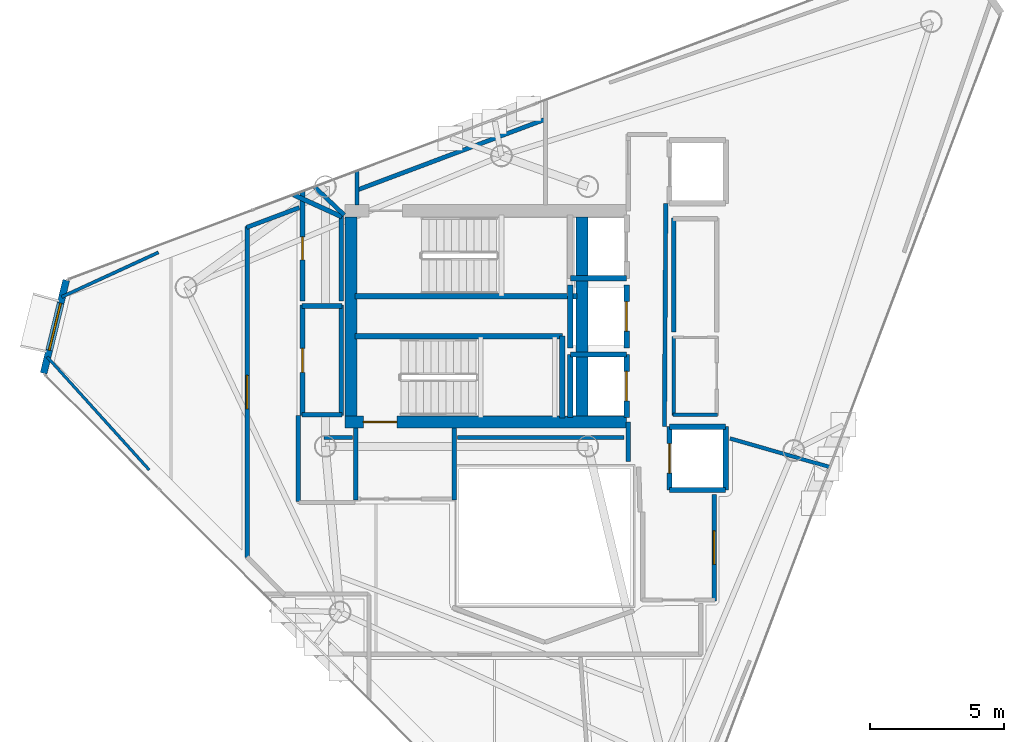
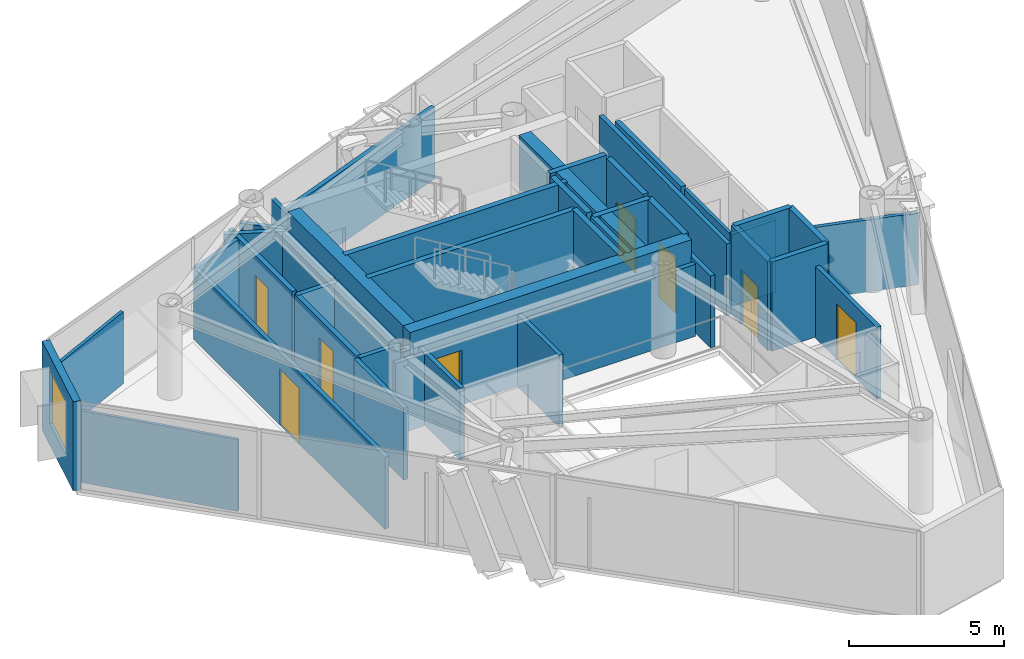
# One storey, part 16 of 19: 43 walls, 8 doors, 1 window, 9 openings.
"""IFC4 building model written with IfcOpenShell, lengths in metres."""

from ifc_helpers import new_model, si_unit, direction, frame, frame_2d, origin, place, context, subcontext, project, spatial, rectangle, extrude, material, layer, layer_set, type_object, element, fill, save


model = new_model("IFC4")

# Units and contexts
model_context = context("Model", 3, precision=1e-05, world=origin(), true_north=direction((0.0, 1.0)))
body_context = subcontext(model_context, "Body", "Model", "MODEL_VIEW")
ifc_project = project(units=[si_unit("LENGTHUNIT", "METRE"), si_unit("AREAUNIT", "SQUARE_METRE"), si_unit("VOLUMEUNIT", "CUBIC_METRE"), si_unit("PLANEANGLEUNIT", "RADIAN"), si_unit("MASSUNIT", "GRAM", prefix="KILO")], contexts=[model_context])

# Site, building, storey
site_placement = place(None, origin())
site = spatial("IfcSite", under=ifc_project, at=site_placement, CompositionType="ELEMENT")
building_placement = place(site_placement, origin())
building = spatial("IfcBuilding", under=site, at=building_placement, Name="Qianvela Tower", CompositionType="ELEMENT")
storey_placement = place(building_placement, frame((0.0, 0.0, 340.699951171875)))
storey = spatial("IfcBuildingStorey", under=building, at=storey_placement, Name="L88", CompositionType="ELEMENT", Elevation=340.699951171875)

# Wall, opening, window
ifc_material_1 = material(Name="Terracotta Cladding on Concrete C40", Category="masonry")
ifc_layer_1 = layer(ifc_material_1, 0.260009765625)
ifc_layer_set_1 = layer_set([ifc_layer_1], Name="Terracotta Cladding on Concrete C40")
wall_type_1 = type_object("IfcWallType", Name="TERRACOTTA-WALL-260", PredefinedType="SOLIDWALL", material=ifc_layer_set_1)
wall_1_placement = place(storey_placement, frame((18.925048828125, 30.0517578125, 0.0), z_axis=(0.0, 0.0, 1.0), x_axis=(-0.236057185344, -0.971739165233, 0.0)))
wall_1 = element("IfcWall", 1, at=wall_1_placement, inside=storey, type_object=wall_type_1, Name="L88 Terracotta Chamfer Facet Wall 3", PredefinedType="SOLIDWALL", context=body_context, shape_type="SweptSolid", body=[
    extrude(rectangle(XDim=3.576416015625, YDim=0.260009765625, at=frame_2d((1.7880859375, 0.0))), origin(), (0.0, 0.0, 1.0), 3.52001953125),
])
opening_1_placement = place(wall_1_placement, frame((0.88818359375, 0.0, 0.85009765625)))
opening_1 = element("IfcOpeningElement", 2, at=opening_1_placement, cuts=wall_1, Name="Opening W-01", PredefinedType="OPENING", context=body_context, shape_type="SweptSolid", body=[
    extrude(rectangle(XDim=1.800048828125, YDim=2.10009765625, at=frame_2d((0.89990234375, 1.050048828125))), frame((0.0, 0.139892578125, 0.0), z_axis=(0.0, -1.0, 0.0), x_axis=(1.0, 0.0, 0.0)), (0.0, 0.0, 1.0), 0.280029296875),
])
ifc_material_2 = material(Name="Thermally Broken Aluminium and Low-E Glass", Category="aluminium")
window_type = type_object("IfcWindowType", Name="WIN-TC-1800x2100", PartitioningType="DOUBLE_PANEL_VERTICAL", PredefinedType="WINDOW", material=ifc_material_2)
window_placement = place(opening_1_placement, origin())
window = element("IfcWindow", 3, at=window_placement, inside=storey, type_object=window_type, Name="L88 Chamfer Facet Window 3.1", OverallHeight=2.10009765625, OverallWidth=1.800048828125, PartitioningType="SINGLE_PANEL", PredefinedType="WINDOW", context=body_context, shape_type="SweptSolid", body=[
    extrude(rectangle(XDim=1.800048828125, YDim=2.10009765625, at=frame_2d((0.89990234375, 1.050048828125))), frame((0.0, 0.030029296875, 0.0), z_axis=(0.0, -1.0, 0.0), x_axis=(1.0, 0.0, 0.0)), (0.0, 0.0, 1.0), 0.06005859375),
])
fill(opening_1, window)

# Wall, opening, door
ifc_material_3 = material(Name="Concrete C50", Category="concrete")
ifc_layer_2 = layer(ifc_material_3, 0.449951171875)
ifc_layer_set_2 = layer_set([ifc_layer_2], Name="Concrete C50")
wall_type_2 = type_object("IfcWallType", Name="WT-CORE-450", PredefinedType="SHEAR", material=ifc_layer_set_2)
wall_2_placement = place(storey_placement, frame((29.330078125, 24.7548828125, 0.0), z_axis=(0.0, 0.0, 1.0), x_axis=(1.0, 0.0, 0.0)))
wall_2 = element("IfcWall", 4, at=wall_2_placement, inside=storey, type_object=wall_type_2, Name="L88 South Core Shear Wall", PredefinedType="SHEAR", context=body_context, shape_type="SweptSolid", body=[
    extrude(rectangle(XDim=10.52001953125, YDim=0.449951171875, at=frame_2d((5.260009765625, 0.0))), origin(), (0.0, 0.0, 1.0), 3.52001953125),
])
opening_2_placement = place(wall_2_placement, frame((0.695068359375, 0.0, 0.0)))
opening_2 = element("IfcOpeningElement", 5, at=opening_2_placement, cuts=wall_2, Name="Opening D-ST1", PredefinedType="OPENING", context=body_context, shape_type="SweptSolid", body=[
    extrude(rectangle(XDim=1.25, YDim=2.14990234375, at=frame_2d((0.625, 1.074951171875))), frame((0.0, 0.23486328125, 0.0), z_axis=(0.0, -1.0, 0.0), x_axis=(1.0, 0.0, 0.0)), (0.0, 0.0, 1.0), 0.469970703125),
])
ifc_material_4 = material(Name="Galvanised Fire Steel Q355B", Category="steel")
door_type_1 = type_object("IfcDoorType", Name="DT-STAIR-FD90", OperationType="NOTDEFINED", PredefinedType="DOOR", material=ifc_material_4)
door_1_placement = place(opening_2_placement, origin())
door_1 = element("IfcDoor", 6, at=door_1_placement, inside=storey, type_object=door_type_1, Name="L88 Stair ST-2 Exit Door", OperationType="SINGLE_SWING_RIGHT", OverallHeight=2.14990234375, OverallWidth=1.25, PredefinedType="DOOR", context=body_context, shape_type="SweptSolid", body=[
    extrude(rectangle(XDim=1.25, YDim=2.14990234375, at=frame_2d((0.625, 1.074951171875))), frame((0.0, 0.02490234375, 0.0), z_axis=(0.0, -1.0, 0.0), x_axis=(1.0, 0.0, 0.0)), (0.0, 0.0, 1.0), 0.050048828125),
])
fill(opening_2, door_1)

# Walls
for number, where, z_axis, x_axis, name in (
    (7, (29.554931640625, 24.97998046875, 0.0), (0.0, 0.0, 1.0), (0.0, 1.0, 0.0), "L88 West Core Shear Wall"),
    (8, (38.179931640625, 24.97998046875, 0.0), (0.0, 0.0, 1.0), (0.0, 1.0, 0.0), "L88 East Spine Core Shear Wall"),
):
    element("IfcWall", number, at=place(storey_placement, frame(where, z_axis=z_axis, x_axis=x_axis)), inside=storey, type_object=wall_type_2, Name=name, PredefinedType="SHEAR", context=body_context, shape_type="SweptSolid", body=[
        extrude(rectangle(XDim=7.43994140625, YDim=0.449951171875, at=frame_2d((3.719970703125, 0.0))), origin(), (0.0, 0.0, 1.0), 3.52001953125),
    ])
ifc_material_5 = material(Name="Fire-Rated Gypsum and Concrete Block", Category="concrete")
ifc_layer_3 = layer(ifc_material_5, 0.159912109375)
ifc_layer_set_3 = layer_set([ifc_layer_3], Name="Fire-Rated Gypsum and Concrete Block")
wall_type_3 = type_object("IfcWallType", Name="WT-CORR-160", PredefinedType="PARTITIONING", material=ifc_layer_set_3)
wall_3_placement = place(storey_placement, frame((29.760986328125, 33.4091796875, 0.0), z_axis=(0.0, 0.0, 1.0), x_axis=(0.936004712995, 0.351987467464, 0.0)))
element("IfcWall", 9, at=wall_3_placement, inside=storey, type_object=wall_type_3, Name="L88 Partition 1", PredefinedType="PARTITIONING", context=body_context, shape_type="SweptSolid", body=[
    extrude(rectangle(XDim=7.585205078125, YDim=0.159912109375, at=frame_2d((3.79248046875, 0.0))), origin(), (0.0, 0.0, 1.0), 2.840087890625),
])
wall_4_placement = place(storey_placement, frame((29.781005859375, 32.85791015625, 0.0), z_axis=(0.0, 0.0, 1.0), x_axis=(0.0, 1.0, 0.0)))
element("IfcWall", 10, at=wall_4_placement, inside=storey, type_object=wall_type_3, Name="L88 Partition 4", PredefinedType="PARTITIONING", context=body_context, shape_type="SweptSolid", body=[
    extrude(rectangle(XDim=1.2958984375, YDim=0.159912109375, at=frame_2d((0.64794921875, 0.0))), origin(), (0.0, 0.0, 1.0), 2.840087890625),
])
for number, where, z_axis, x_axis, name in (
    (11, (29.73095703125, 21.85009765625, 0.0), (0.0, 0.0, 1.0), (0.0, 1.0, 0.0), "L88 Partition 6"),
    (12, (33.4189453125, 24.5419921875, 0.0), (0.0, 0.0, 1.0), (0.0, -1.0, 0.0), "L88 Partition 8"),
):
    element("IfcWall", number, at=place(storey_placement, frame(where, z_axis=z_axis, x_axis=x_axis)), inside=storey, type_object=wall_type_3, Name=name, PredefinedType="PARTITIONING", context=body_context, shape_type="SweptSolid", body=[
        extrude(rectangle(XDim=2.69189453125, YDim=0.159912109375, at=frame_2d((1.345947265625, 0.0))), origin(), (0.0, 0.0, 1.0), 2.840087890625),
    ])
wall_5_placement = place(storey_placement, frame((39.910888671875, 23.280029296875, 0.0), z_axis=(0.0, 0.0, 1.0), x_axis=(0.0, 1.0, 0.0)))
element("IfcWall", 13, at=wall_5_placement, inside=storey, type_object=wall_type_3, Name="L88 Partition 10", PredefinedType="PARTITIONING", context=body_context, shape_type="SweptSolid", body=[
    extrude(rectangle(XDim=1.47998046875, YDim=0.159912109375, at=frame_2d((0.739990234375, 0.0))), origin(), (0.0, 0.0, 1.0), 2.840087890625),
])
wall_6_placement = place(storey_placement, frame((41.3134765625, 32.919921875, 0.0), z_axis=(0.0, 0.0, 1.0), x_axis=(-0.005942518022, -0.999982343084, 0.0)))
element("IfcWall", 14, at=wall_6_placement, inside=storey, type_object=wall_type_3, Name="L88 Partition 14 seg 2", PredefinedType="PARTITIONING", context=body_context, shape_type="SweptSolid", body=[
    extrude(rectangle(XDim=8.340087890625, YDim=0.159912109375, at=frame_2d((4.169921875, 0.0))), origin(), (0.0, 0.0, 1.0), 2.840087890625),
])

# Wall, opening, door
wall_7_placement = place(storey_placement, frame((43.118896484375, 22.050048828125, 0.0), z_axis=(0.0, 0.0, 1.0), x_axis=(0.0, -1.0, 0.0)))
wall_7 = element("IfcWall", 15, at=wall_7_placement, inside=storey, type_object=wall_type_3, Name="L88 Partition 16", PredefinedType="PARTITIONING", context=body_context, shape_type="SweptSolid", body=[
    extrude(rectangle(XDim=3.969970703125, YDim=0.159912109375, at=frame_2d((1.98486328125, 0.0))), origin(), (0.0, 0.0, 1.0), 2.840087890625),
])
opening_3_placement = place(wall_7_placement, frame((1.360107421875, 0.0, 0.0)))
opening_3 = element("IfcOpeningElement", 16, at=opening_3_placement, cuts=wall_7, Name="Opening D-LG1", PredefinedType="OPENING", context=body_context, shape_type="SweptSolid", body=[
    extrude(rectangle(XDim=1.25, YDim=2.199951171875, at=frame_2d((0.625, 1.10009765625))), frame((0.0, 0.08984375, 0.0), z_axis=(0.0, -1.0, 0.0), x_axis=(1.0, 0.0, 0.0)), (0.0, 0.0, 1.0), 0.179931640625),
])
ifc_material_6 = material(Name="Anodised Aluminium Acoustic Glass Door", Category="aluminium")
door_type_2 = type_object("IfcDoorType", Name="DT-LOUNGE-1250", OperationType="NOTDEFINED", PredefinedType="DOOR", material=ifc_material_6)
door_2_placement = place(opening_3_placement, origin())
door_2 = element("IfcDoor", 17, at=door_2_placement, inside=storey, type_object=door_type_2, Name="L88 Door Media Practice Cinema L88-02 to L88 Lift Lobby", OperationType="SINGLE_SWING_RIGHT", OverallHeight=2.199951171875, OverallWidth=1.25, PredefinedType="DOOR", context=body_context, shape_type="SweptSolid", body=[
    extrude(rectangle(XDim=1.25, YDim=2.199951171875, at=frame_2d((0.625, 1.10009765625))), frame((0.0, 0.02490234375, 0.0), z_axis=(0.0, -1.0, 0.0), x_axis=(1.0, 0.0, 0.0)), (0.0, 0.0, 1.0), 0.050048828125),
])
fill(opening_3, door_2)

# Walls
wall_8_placement = place(storey_placement, frame((29.6201171875, 24.180908203125, 0.0), z_axis=(0.0, 0.0, 1.0), x_axis=(-1.0, 0.0, 0.0)))
element("IfcWall", 18, at=wall_8_placement, inside=storey, type_object=wall_type_3, Name="L88 Partition 40", PredefinedType="PARTITIONING", context=body_context, shape_type="SweptSolid", body=[
    extrude(rectangle(XDim=1.070068359375, YDim=0.159912109375, at=frame_2d((0.53515625, 0.0))), origin(), (0.0, 0.0, 1.0), 2.840087890625),
])
wall_9_placement = place(storey_placement, frame((29.303466796875, 32.488525390625, 0.0), z_axis=(0.0, 0.0, 1.0), x_axis=(-0.726738102443, 0.686914645685, 0.0)))
element("IfcWall", 19, at=wall_9_placement, inside=storey, type_object=wall_type_3, Name="L88 Partition 44", PredefinedType="PARTITIONING", context=body_context, shape_type="SweptSolid", body=[
    extrude(rectangle(XDim=1.526611328125, YDim=0.159912109375, at=frame_2d((0.76318359375, 0.0))), origin(), (0.0, 0.0, 1.0), 2.840087890625),
])
wall_10_placement = place(storey_placement, frame((39.75, 24.180908203125, 0.0), z_axis=(0.0, 0.0, 1.0), x_axis=(-1.0, 0.0, 0.0)))
element("IfcWall", 20, at=wall_10_placement, inside=storey, type_object=wall_type_3, Name="L88 Partition 48", PredefinedType="PARTITIONING", context=body_context, shape_type="SweptSolid", body=[
    extrude(rectangle(XDim=6.219970703125, YDim=0.159912109375, at=frame_2d((3.10986328125, 0.0))), origin(), (0.0, 0.0, 1.0), 2.840087890625),
])

# Wall, opening, door
wall_11_placement = place(storey_placement, frame((25.680908203125, 19.697265625, 0.0), z_axis=(0.0, 0.0, 1.0), x_axis=(0.0, 1.0, 0.0)))
wall_11 = element("IfcWall", 21, at=wall_11_placement, inside=storey, type_object=wall_type_3, Name="L88 Partition 56", PredefinedType="PARTITIONING", context=body_context, shape_type="SweptSolid", body=[
    extrude(rectangle(XDim=12.354248046875, YDim=0.159912109375, at=frame_2d((6.17724609375, 0.0))), origin(), (0.0, 0.0, 1.0), 2.840087890625),
])
opening_4_placement = place(wall_11_placement, frame((5.55224609375, 0.0, 0.0)))
opening_4 = element("IfcOpeningElement", 22, at=opening_4_placement, cuts=wall_11, Name="Opening D-LG1", PredefinedType="OPENING", context=body_context, shape_type="SweptSolid", body=[
    extrude(rectangle(XDim=1.25, YDim=2.199951171875, at=frame_2d((0.625, 1.10009765625))), frame((0.0, 0.08984375, 0.0), z_axis=(0.0, -1.0, 0.0), x_axis=(1.0, 0.0, 0.0)), (0.0, 0.0, 1.0), 0.179931640625),
])
door_3_placement = place(opening_4_placement, origin())
door_3 = element("IfcDoor", 23, at=door_3_placement, inside=storey, type_object=door_type_2, Name="L88 Door Panoramic Study Lounge L88-03 to L88 Floor Corridor", OperationType="SINGLE_SWING_LEFT", OverallHeight=2.199951171875, OverallWidth=1.25, PredefinedType="DOOR", context=body_context, shape_type="SweptSolid", body=[
    extrude(rectangle(XDim=1.25, YDim=2.199951171875, at=frame_2d((0.625, 1.10009765625))), frame((0.0, 0.02490234375, 0.0), z_axis=(0.0, -1.0, 0.0), x_axis=(1.0, 0.0, 0.0)), (0.0, 0.0, 1.0), 0.050048828125),
])
fill(opening_4, door_3)

# Walls
wall_12_placement = place(storey_placement, frame((25.660888671875, 32.0224609375, 0.0), z_axis=(0.0, 0.0, 1.0), x_axis=(0.936018944995, 0.351949619422, 0.0)))
element("IfcWall", 24, at=wall_12_placement, inside=storey, type_object=wall_type_3, Name="L88 Partition 57", PredefinedType="PARTITIONING", context=body_context, shape_type="SweptSolid", body=[
    extrude(rectangle(XDim=2.104736328125, YDim=0.159912109375, at=frame_2d((1.05224609375, 0.0))), origin(), (0.0, 0.0, 1.0), 2.840087890625),
])
wall_13_placement = place(storey_placement, frame((27.589111328125, 25.0, 0.0), z_axis=(0.0, 0.0, 1.0), x_axis=(0.0, -1.0, 0.0)))
element("IfcWall", 25, at=wall_13_placement, inside=storey, type_object=wall_type_3, Name="L88 Partition 58 seg 2", PredefinedType="PARTITIONING", context=body_context, shape_type="SweptSolid", body=[
    extrude(rectangle(XDim=3.219970703125, YDim=0.159912109375, at=frame_2d((1.60986328125, 0.0))), origin(), (0.0, 0.0, 1.0), 2.840087890625),
])
ifc_material_7 = material(Name="Lightweight Gypsum Room Partition")
ifc_layer_4 = layer(ifc_material_7, 0.10498046875)
ifc_layer_set_4 = layer_set([ifc_layer_4], Name="Lightweight Gypsum Room Partition")
wall_type_4 = type_object("IfcWallType", Name="WT-PART-105", PredefinedType="PARTITIONING", material=ifc_layer_set_4)
wall_14_placement = place(storey_placement, frame((22.0224609375, 22.968994140625, 0.0), z_axis=(0.0, 0.0, 1.0), x_axis=(-0.670140549565, 0.742234224372, 0.0)))
element("IfcWall", 26, at=wall_14_placement, inside=storey, type_object=wall_type_4, Name="L88 Partition 75 seg 1", PredefinedType="PARTITIONING", context=body_context, shape_type="SweptSolid", body=[
    extrude(rectangle(XDim=5.685791015625, YDim=0.10498046875, at=frame_2d((2.8427734375, 0.0))), origin(), (0.0, 0.0, 1.0), 2.840087890625),
])
ifc_material_8 = material(Name="Insulated Gypsum Stud Partition")
ifc_layer_5 = layer(ifc_material_8, 0.1201171875)
ifc_layer_set_5 = layer_set([ifc_layer_5], Name="Insulated Gypsum Stud Partition")
wall_type_5 = type_object("IfcWallType", Name="WT-PART-120", PredefinedType="PARTITIONING", material=ifc_layer_set_5)
wall_15_placement = place(storey_placement, frame((41.611083984375, 25.0, 0.0), z_axis=(0.0, 0.0, 1.0), x_axis=(0.0, 1.0, 0.0)))
element("IfcWall", 27, at=wall_15_placement, inside=storey, type_object=wall_type_5, Name="L88 Partition 20", PredefinedType="PARTITIONING", context=body_context, shape_type="SweptSolid", body=[
    extrude(rectangle(XDim=2.949951171875, YDim=0.1201171875, at=frame_2d((1.47509765625, 0.0))), origin(), (0.0, 0.0, 1.0), 2.840087890625),
])
wall_16_placement = place(storey_placement, frame((18.756103515625, 29.42626953125, 0.0), z_axis=(0.0, 0.0, 1.0), x_axis=(0.908270168389, 0.418384155072, 0.0)))
element("IfcWall", 28, at=wall_16_placement, inside=storey, type_object=wall_type_5, Name="L88 Partition 77 seg 1", PredefinedType="PARTITIONING", context=body_context, shape_type="SweptSolid", body=[
    extrude(rectangle(XDim=3.974365234375, YDim=0.1201171875, at=frame_2d((1.9873046875, 0.0))), origin(), (0.0, 0.0, 1.0), 2.840087890625),
])
ifc_material_9 = material(Name="Moisture-Resistant Acoustic Plumbing Wall")
ifc_layer_6 = layer(ifc_material_9, 0.175048828125)
ifc_layer_set_6 = layer_set([ifc_layer_6], Name="Moisture-Resistant Acoustic Plumbing Wall")
wall_type_6 = type_object("IfcWallType", Name="WT-PLUMB-175", PredefinedType="PLUMBINGWALL", material=ifc_layer_set_6)
wall_17_placement = place(storey_placement, frame((41.611083984375, 28.110107421875, 0.0), z_axis=(0.0, 0.0, 1.0), x_axis=(0.0, 1.0, 0.0)))
element("IfcWall", 29, at=wall_17_placement, inside=storey, type_object=wall_type_6, Name="L88 Partition 24", PredefinedType="PLUMBINGWALL", context=body_context, shape_type="SweptSolid", body=[
    extrude(rectangle(XDim=4.269775390625, YDim=0.175048828125, at=frame_2d((2.134765625, 0.0))), origin(), (0.0, 0.0, 1.0), 2.840087890625),
])

# Wall, opening, door
wall_18_placement = place(storey_placement, frame((27.7509765625, 25.0, 0.0), z_axis=(0.0, 0.0, 1.0), x_axis=(0.0, 1.0, 0.0)))
wall_18 = element("IfcWall", 30, at=wall_18_placement, inside=storey, type_object=wall_type_6, Name="L88 Partition 27", PredefinedType="PLUMBINGWALL", context=body_context, shape_type="SweptSolid", body=[
    extrude(rectangle(XDim=4.1201171875, YDim=0.175048828125, at=frame_2d((2.06005859375, 0.0))), origin(), (0.0, 0.0, 1.0), 2.840087890625),
])
opening_5_placement = place(wall_18_placement, frame((1.610107421875, 0.0, 0.0)))
opening_5 = element("IfcOpeningElement", 31, at=opening_5_placement, cuts=wall_18, Name="Opening D-KT1", PredefinedType="OPENING", context=body_context, shape_type="SweptSolid", body=[
    extrude(rectangle(XDim=0.89990234375, YDim=2.10009765625, at=frame_2d((0.449951171875, 1.050048828125))), frame((0.0, 0.097412109375, 0.0), z_axis=(0.0, -1.0, 0.0), x_axis=(1.0, 0.0, 0.0)), (0.0, 0.0, 1.0), 0.195068359375),
])
ifc_material_10 = material(Name="Glazed Timber Kitchen Door", Category="wood")
door_type_3 = type_object("IfcDoorType", Name="DT-KITCH-900", OperationType="NOTDEFINED", PredefinedType="DOOR", material=ifc_material_10)
door_4_placement = place(opening_5_placement, origin())
door_4 = element("IfcDoor", 32, at=door_4_placement, inside=storey, type_object=door_type_3, Name="L88 Door L88 Core Tea Pantry West to L88 Floor Corridor", OperationType="SINGLE_SWING_RIGHT", OverallHeight=2.10009765625, OverallWidth=0.89990234375, PredefinedType="DOOR", context=body_context, shape_type="SweptSolid", body=[
    extrude(rectangle(XDim=0.89990234375, YDim=2.10009765625, at=frame_2d((0.449951171875, 1.050048828125))), frame((0.0, 0.02490234375, 0.0), z_axis=(0.0, -1.0, 0.0), x_axis=(1.0, 0.0, 0.0)), (0.0, 0.0, 1.0), 0.050048828125),
])
fill(opening_5, door_4)

# Walls
wall_19_placement = place(storey_placement, frame((27.719970703125, 29.089111328125, 0.0), z_axis=(0.0, 0.0, 1.0), x_axis=(1.0, 0.0, 0.0)))
element("IfcWall", 33, at=wall_19_placement, inside=storey, type_object=wall_type_6, Name="L88 Partition 28", PredefinedType="PLUMBINGWALL", context=body_context, shape_type="SweptSolid", body=[
    extrude(rectangle(XDim=1.5, YDim=0.175048828125, at=frame_2d((0.75, 0.0))), origin(), (0.0, 0.0, 1.0), 2.840087890625),
])
wall_20_placement = place(storey_placement, frame((29.18896484375, 29.1201171875, 0.0), z_axis=(0.0, 0.0, 1.0), x_axis=(0.0, -1.0, 0.0)))
element("IfcWall", 34, at=wall_20_placement, inside=storey, type_object=wall_type_6, Name="L88 Partition 29", PredefinedType="PLUMBINGWALL", context=body_context, shape_type="SweptSolid", body=[
    extrude(rectangle(XDim=4.1201171875, YDim=0.175048828125, at=frame_2d((2.06005859375, 0.0))), origin(), (0.0, 0.0, 1.0), 2.840087890625),
])
wall_21_placement = place(storey_placement, frame((29.219970703125, 25.031005859375, 0.0), z_axis=(0.0, 0.0, 1.0), x_axis=(-1.0, 0.0, 0.0)))
element("IfcWall", 35, at=wall_21_placement, inside=storey, type_object=wall_type_6, Name="L88 Partition 30", PredefinedType="PLUMBINGWALL", context=body_context, shape_type="SweptSolid", body=[
    extrude(rectangle(XDim=1.5, YDim=0.175048828125, at=frame_2d((0.75, 0.0))), origin(), (0.0, 0.0, 1.0), 2.840087890625),
])

# Wall, opening, door
wall_22_placement = place(storey_placement, frame((27.7509765625, 29.280029296875, 0.0), z_axis=(0.0, 0.0, 1.0), x_axis=(0.0, 1.0, 0.0)))
wall_22 = element("IfcWall", 36, at=wall_22_placement, inside=storey, type_object=wall_type_6, Name="L88 Partition 31", PredefinedType="PLUMBINGWALL", context=body_context, shape_type="SweptSolid", body=[
    extrude(rectangle(XDim=4.1103515625, YDim=0.175048828125, at=frame_2d((2.05517578125, 0.0))), origin(), (0.0, 0.0, 1.0), 2.840087890625),
])
opening_6_placement = place(wall_22_placement, frame((1.530029296875, 0.0, 0.0)))
opening_6 = element("IfcOpeningElement", 37, at=opening_6_placement, cuts=wall_22, Name="Opening D-WC1", PredefinedType="OPENING", context=body_context, shape_type="SweptSolid", body=[
    extrude(rectangle(XDim=0.860107421875, YDim=2.050048828125, at=frame_2d((0.43017578125, 1.02490234375))), frame((0.0, 0.097412109375, 0.0), z_axis=(0.0, -1.0, 0.0), x_axis=(1.0, 0.0, 0.0)), (0.0, 0.0, 1.0), 0.195068359375),
])
ifc_material_11 = material(Name="Moisture-Sealed Acoustic Timber Door", Category="wood")
door_type_4 = type_object("IfcDoorType", Name="DT-WC-860", OperationType="NOTDEFINED", PredefinedType="DOOR", material=ifc_material_11)
door_5_placement = place(opening_6_placement, origin())
door_5 = element("IfcDoor", 38, at=door_5_placement, inside=storey, type_object=door_type_4, Name="L88 Door L88 Accessible WC to L88 Floor Corridor", OperationType="SINGLE_SWING_LEFT", OverallHeight=2.050048828125, OverallWidth=0.860107421875, PredefinedType="DOOR", context=body_context, shape_type="SweptSolid", body=[
    extrude(rectangle(XDim=0.860107421875, YDim=2.050048828125, at=frame_2d((0.43017578125, 1.02490234375))), frame((0.0, 0.02490234375, 0.0), z_axis=(0.0, -1.0, 0.0), x_axis=(1.0, 0.0, 0.0)), (0.0, 0.0, 1.0), 0.050048828125),
])
fill(opening_6, door_5)

# Walls
wall_23_placement = place(storey_placement, frame((27.410400390625, 33.2421875, 0.0), z_axis=(0.0, 0.0, 1.0), x_axis=(0.910231848318, -0.414099000611, 0.0)))
element("IfcWall", 39, at=wall_23_placement, inside=storey, type_object=wall_type_6, Name="L88 Partition 32", PredefinedType="PLUMBINGWALL", context=body_context, shape_type="SweptSolid", body=[
    extrude(rectangle(XDim=1.988037109375, YDim=0.175048828125, at=frame_2d((0.994140625, 0.0))), origin(), (0.0, 0.0, 1.0), 2.840087890625),
])
wall_24_placement = place(storey_placement, frame((29.18896484375, 32.449951171875, 0.0), z_axis=(0.0, 0.0, 1.0), x_axis=(0.0, -1.0, 0.0)))
element("IfcWall", 40, at=wall_24_placement, inside=storey, type_object=wall_type_6, Name="L88 Partition 33", PredefinedType="PLUMBINGWALL", context=body_context, shape_type="SweptSolid", body=[
    extrude(rectangle(XDim=3.169921875, YDim=0.175048828125, at=frame_2d((1.5849609375, 0.0))), origin(), (0.0, 0.0, 1.0), 2.840087890625),
])
ifc_material_12 = material(Name="Acoustic Double Gypsum Stud Partition")
ifc_layer_7 = layer(ifc_material_12, 0.139892578125)
ifc_layer_set_7 = layer_set([ifc_layer_7], Name="Acoustic Double Gypsum Stud Partition")
wall_type_7 = type_object("IfcWallType", Name="WT-ROOM-140", PredefinedType="PARTITIONING", material=ifc_layer_set_7)
wall_25_placement = place(storey_placement, frame((43.25, 25.031005859375, 0.0), z_axis=(0.0, 0.0, 1.0), x_axis=(-1.0, 0.0, 0.0)))
element("IfcWall", 41, at=wall_25_placement, inside=storey, type_object=wall_type_7, Name="L88 Partition 19", PredefinedType="PARTITIONING", context=body_context, shape_type="SweptSolid", body=[
    extrude(rectangle(XDim=1.669921875, YDim=0.139892578125, at=frame_2d((0.8349609375, 0.0))), origin(), (0.0, 0.0, 1.0), 2.840087890625),
])
wall_26_placement = place(storey_placement, frame((43.71142578125, 24.14306640625, 0.0), z_axis=(0.0, 0.0, 1.0), x_axis=(0.9612562867, -0.275656219374, 0.0)))
element("IfcWall", 42, at=wall_26_placement, inside=storey, type_object=wall_type_7, Name="L88 Partition 70", PredefinedType="PARTITIONING", context=body_context, shape_type="SweptSolid", body=[
    extrude(rectangle(XDim=3.89599609375, YDim=0.139892578125, at=frame_2d((1.947998046875, 0.0))), origin(), (0.0, 0.0, 1.0), 2.840087890625),
])
ifc_material_13 = material(Name="Concrete C50", Category="concrete")
ifc_layer_8 = layer(ifc_material_13, 0.199951171875)
ifc_layer_set_8 = layer_set([ifc_layer_8], Name="Concrete C50")
wall_type_8 = type_object("IfcWallType", Name="WT-SHAFT-200", PredefinedType="SOLIDWALL", material=ifc_layer_set_8)
wall_27_placement = place(storey_placement, frame((29.699951171875, 29.449951171875, 0.0), z_axis=(0.0, 0.0, 1.0), x_axis=(1.0, 0.0, 0.0)))
element("IfcWall", 43, at=wall_27_placement, inside=storey, type_object=wall_type_8, Name="L88 Stair ST-1 South Wall", PredefinedType="SOLIDWALL", context=body_context, shape_type="SweptSolid", body=[
    extrude(rectangle(XDim=8.300048828125, YDim=0.199951171875, at=frame_2d((4.14990234375, 0.0))), origin(), (0.0, 0.0, 1.0), 3.52001953125),
])
wall_28_placement = place(storey_placement, frame((29.699951171875, 27.9599609375, 0.0), z_axis=(0.0, 0.0, 1.0), x_axis=(1.0, 0.0, 0.0)))
element("IfcWall", 44, at=wall_28_placement, inside=storey, type_object=wall_type_8, Name="L88 Stair ST-2 North Wall", PredefinedType="SOLIDWALL", context=body_context, shape_type="SweptSolid", body=[
    extrude(rectangle(XDim=7.75, YDim=0.199951171875, at=frame_2d((3.875, 0.0))), origin(), (0.0, 0.0, 1.0), 3.52001953125),
])
wall_29_placement = place(storey_placement, frame((37.449951171875, 24.89990234375, 0.0), z_axis=(0.0, 0.0, 1.0), x_axis=(0.0, 1.0, 0.0)))
element("IfcWall", 45, at=wall_29_placement, inside=storey, type_object=wall_type_8, Name="L88 Stair ST-2 East Wall", PredefinedType="SOLIDWALL", context=body_context, shape_type="SweptSolid", body=[
    extrude(rectangle(XDim=3.06005859375, YDim=0.199951171875, at=frame_2d((1.530029296875, 0.0))), origin(), (0.0, 0.0, 1.0), 3.52001953125),
])
wall_30_placement = place(storey_placement, frame((37.75, 30.1201171875, 0.0), z_axis=(0.0, 0.0, 1.0), x_axis=(1.0, 0.0, 0.0)))
element("IfcWall", 46, at=wall_30_placement, inside=storey, type_object=wall_type_8, Name="L88 Lift FL-1 S Shaft Wall", PredefinedType="SOLIDWALL", context=body_context, shape_type="SweptSolid", body=[
    extrude(rectangle(XDim=2.10009765625, YDim=0.199951171875, at=frame_2d((1.050048828125, 0.0))), origin(), (0.0, 0.0, 1.0), 3.52001953125),
])

# Wall, opening, door
wall_31_placement = place(storey_placement, frame((39.85009765625, 24.919921875, 0.0), z_axis=(0.0, 0.0, 1.0), x_axis=(0.0, 1.0, 0.0)))
wall_31 = element("IfcWall", 47, at=wall_31_placement, inside=storey, type_object=wall_type_8, Name="L88 Lift FL-2 E Shaft Wall", PredefinedType="SOLIDWALL", context=body_context, shape_type="SweptSolid", body=[
    extrude(rectangle(XDim=2.360107421875, YDim=0.199951171875, at=frame_2d((1.18017578125, 0.0))), origin(), (0.0, 0.0, 1.0), 3.52001953125),
])
opening_7_placement = place(wall_31_placement, frame((0.6298828125, 0.0, 0.0)))
opening_7 = element("IfcOpeningElement", 48, at=opening_7_placement, cuts=wall_31, Name="Opening LD-01", PredefinedType="OPENING", context=body_context, shape_type="SweptSolid", body=[
    extrude(rectangle(XDim=1.10009765625, YDim=2.14990234375, at=frame_2d((0.550048828125, 1.074951171875))), frame((0.0, 0.10986328125, 0.0), z_axis=(0.0, -1.0, 0.0), x_axis=(1.0, 0.0, 0.0)), (0.0, 0.0, 1.0), 0.219970703125),
])
ifc_material_14 = material(Name="Brushed Stainless Steel Lift Landing Door", Category="steel")
door_type_5 = type_object("IfcDoorType", Name="DT-LIFT-SLIDE-1100", OperationType="SLIDING_TO_LEFT", PredefinedType="DOOR", material=ifc_material_14)
door_6_placement = place(opening_7_placement, origin())
door_6 = element("IfcDoor", 49, at=door_6_placement, inside=storey, type_object=door_type_5, Name="L88 Lift FL-2 Sliding Landing Door", OperationType="SLIDING_TO_LEFT", OverallHeight=2.14990234375, OverallWidth=1.10009765625, PredefinedType="DOOR", context=body_context, shape_type="SweptSolid", body=[
    extrude(rectangle(XDim=1.10009765625, YDim=2.14990234375, at=frame_2d((0.550048828125, 1.074951171875))), frame((0.0, 0.02490234375, 0.0), z_axis=(0.0, -1.0, 0.0), x_axis=(1.0, 0.0, 0.0)), (0.0, 0.0, 1.0), 0.050048828125),
])
fill(opening_7, door_6)

# Walls
wall_32_placement = place(storey_placement, frame((37.75, 24.919921875, 0.0), z_axis=(0.0, 0.0, 1.0), x_axis=(0.0, 1.0, 0.0)))
element("IfcWall", 50, at=wall_32_placement, inside=storey, type_object=wall_type_8, Name="L88 Lift FL-2 W Shaft Wall", PredefinedType="SOLIDWALL", context=body_context, shape_type="SweptSolid", body=[
    extrude(rectangle(XDim=2.360107421875, YDim=0.199951171875, at=frame_2d((1.18017578125, 0.0))), origin(), (0.0, 0.0, 1.0), 3.52001953125),
])
wall_33_placement = place(storey_placement, frame((37.75, 27.280029296875, 0.0), z_axis=(0.0, 0.0, 1.0), x_axis=(1.0, 0.0, 0.0)))
element("IfcWall", 51, at=wall_33_placement, inside=storey, type_object=wall_type_8, Name="L88 Lift FL-2 N Shaft Wall", PredefinedType="SOLIDWALL", context=body_context, shape_type="SweptSolid", body=[
    extrude(rectangle(XDim=2.10009765625, YDim=0.199951171875, at=frame_2d((1.050048828125, 0.0))), origin(), (0.0, 0.0, 1.0), 3.52001953125),
])

# Wall, opening, door
wall_34_placement = place(storey_placement, frame((39.85009765625, 27.52001953125, 0.0), z_axis=(0.0, 0.0, 1.0), x_axis=(0.0, 1.0, 0.0)))
wall_34 = element("IfcWall", 52, at=wall_34_placement, inside=storey, type_object=wall_type_8, Name="L88 Lift PL-H1 E Shaft Wall", PredefinedType="SOLIDWALL", context=body_context, shape_type="SweptSolid", body=[
    extrude(rectangle(XDim=2.35986328125, YDim=0.199951171875, at=frame_2d((1.179931640625, 0.0))), origin(), (0.0, 0.0, 1.0), 3.52001953125),
])
opening_8_placement = place(wall_34_placement, frame((0.6298828125, 0.0, 0.0)))
opening_8 = element("IfcOpeningElement", 53, at=opening_8_placement, cuts=wall_34, Name="Opening LD-01", PredefinedType="OPENING", context=body_context, shape_type="SweptSolid", body=[
    extrude(rectangle(XDim=1.10009765625, YDim=2.14990234375, at=frame_2d((0.550048828125, 1.074951171875))), frame((0.0, 0.10986328125, 0.0), z_axis=(0.0, -1.0, 0.0), x_axis=(1.0, 0.0, 0.0)), (0.0, 0.0, 1.0), 0.219970703125),
])
door_7_placement = place(opening_8_placement, origin())
door_7 = element("IfcDoor", 54, at=door_7_placement, inside=storey, type_object=door_type_5, Name="L88 Lift PL-H1 Sliding Landing Door", OperationType="SLIDING_TO_LEFT", OverallHeight=2.14990234375, OverallWidth=1.10009765625, PredefinedType="DOOR", context=body_context, shape_type="SweptSolid", body=[
    extrude(rectangle(XDim=1.10009765625, YDim=2.14990234375, at=frame_2d((0.550048828125, 1.074951171875))), frame((0.0, 0.02490234375, 0.0), z_axis=(0.0, -1.0, 0.0), x_axis=(1.0, 0.0, 0.0)), (0.0, 0.0, 1.0), 0.050048828125),
])
fill(opening_8, door_7)

# Walls
wall_35_placement = place(storey_placement, frame((37.75, 27.52001953125, 0.0), z_axis=(0.0, 0.0, 1.0), x_axis=(0.0, 1.0, 0.0)))
element("IfcWall", 55, at=wall_35_placement, inside=storey, type_object=wall_type_8, Name="L88 Lift PL-H1 W Shaft Wall", PredefinedType="SOLIDWALL", context=body_context, shape_type="SweptSolid", body=[
    extrude(rectangle(XDim=2.35986328125, YDim=0.199951171875, at=frame_2d((1.179931640625, 0.0))), origin(), (0.0, 0.0, 1.0), 3.52001953125),
])
wall_36_placement = place(storey_placement, frame((43.550048828125, 22.219970703125, 0.0), z_axis=(0.0, 0.0, 1.0), x_axis=(0.0, 1.0, 0.0)))
element("IfcWall", 56, at=wall_36_placement, inside=storey, type_object=wall_type_8, Name="L88 Lift PL-H2 E Shaft Wall", PredefinedType="SOLIDWALL", context=body_context, shape_type="SweptSolid", body=[
    extrude(rectangle(XDim=2.360107421875, YDim=0.199951171875, at=frame_2d((1.18017578125, 0.0))), origin(), (0.0, 0.0, 1.0), 3.52001953125),
])

# Wall, opening, door
wall_37_placement = place(storey_placement, frame((41.449951171875, 22.219970703125, 0.0), z_axis=(0.0, 0.0, 1.0), x_axis=(0.0, 1.0, 0.0)))
wall_37 = element("IfcWall", 57, at=wall_37_placement, inside=storey, type_object=wall_type_8, Name="L88 Lift PL-H2 W Shaft Wall", PredefinedType="SOLIDWALL", context=body_context, shape_type="SweptSolid", body=[
    extrude(rectangle(XDim=2.360107421875, YDim=0.199951171875, at=frame_2d((1.18017578125, 0.0))), origin(), (0.0, 0.0, 1.0), 3.52001953125),
])
opening_9_placement = place(wall_37_placement, frame((0.6298828125, 0.0, 0.0)))
opening_9 = element("IfcOpeningElement", 58, at=opening_9_placement, cuts=wall_37, Name="Opening LD-01", PredefinedType="OPENING", context=body_context, shape_type="SweptSolid", body=[
    extrude(rectangle(XDim=1.10009765625, YDim=2.14990234375, at=frame_2d((0.550048828125, 1.074951171875))), frame((0.0, 0.10986328125, 0.0), z_axis=(0.0, -1.0, 0.0), x_axis=(1.0, 0.0, 0.0)), (0.0, 0.0, 1.0), 0.219970703125),
])
door_8_placement = place(opening_9_placement, origin())
door_8 = element("IfcDoor", 59, at=door_8_placement, inside=storey, type_object=door_type_5, Name="L88 Lift PL-H2 Sliding Landing Door", OperationType="SLIDING_TO_LEFT", OverallHeight=2.14990234375, OverallWidth=1.10009765625, PredefinedType="DOOR", context=body_context, shape_type="SweptSolid", body=[
    extrude(rectangle(XDim=1.10009765625, YDim=2.14990234375, at=frame_2d((0.550048828125, 1.074951171875))), frame((0.0, 0.02490234375, 0.0), z_axis=(0.0, -1.0, 0.0), x_axis=(1.0, 0.0, 0.0)), (0.0, 0.0, 1.0), 0.050048828125),
])
fill(opening_9, door_8)

# Walls
for number, where, z_axis, x_axis, name in (
    (60, (41.449951171875, 24.580078125, 0.0), (0.0, 0.0, 1.0), (1.0, 0.0, 0.0), "L88 Lift PL-H2 N Shaft Wall"),
    (61, (41.449951171875, 22.219970703125, 0.0), (0.0, 0.0, 1.0), (1.0, 0.0, 0.0), "L88 Lift PL-H2 S Shaft Wall"),
):
    element("IfcWall", number, at=place(storey_placement, frame(where, z_axis=z_axis, x_axis=x_axis)), inside=storey, type_object=wall_type_8, Name=name, PredefinedType="SOLIDWALL", context=body_context, shape_type="SweptSolid", body=[
        extrude(rectangle(XDim=2.10009765625, YDim=0.199951171875, at=frame_2d((1.050048828125, 0.0))), origin(), (0.0, 0.0, 1.0), 3.52001953125),
    ])

save(model, "model.ifc")
